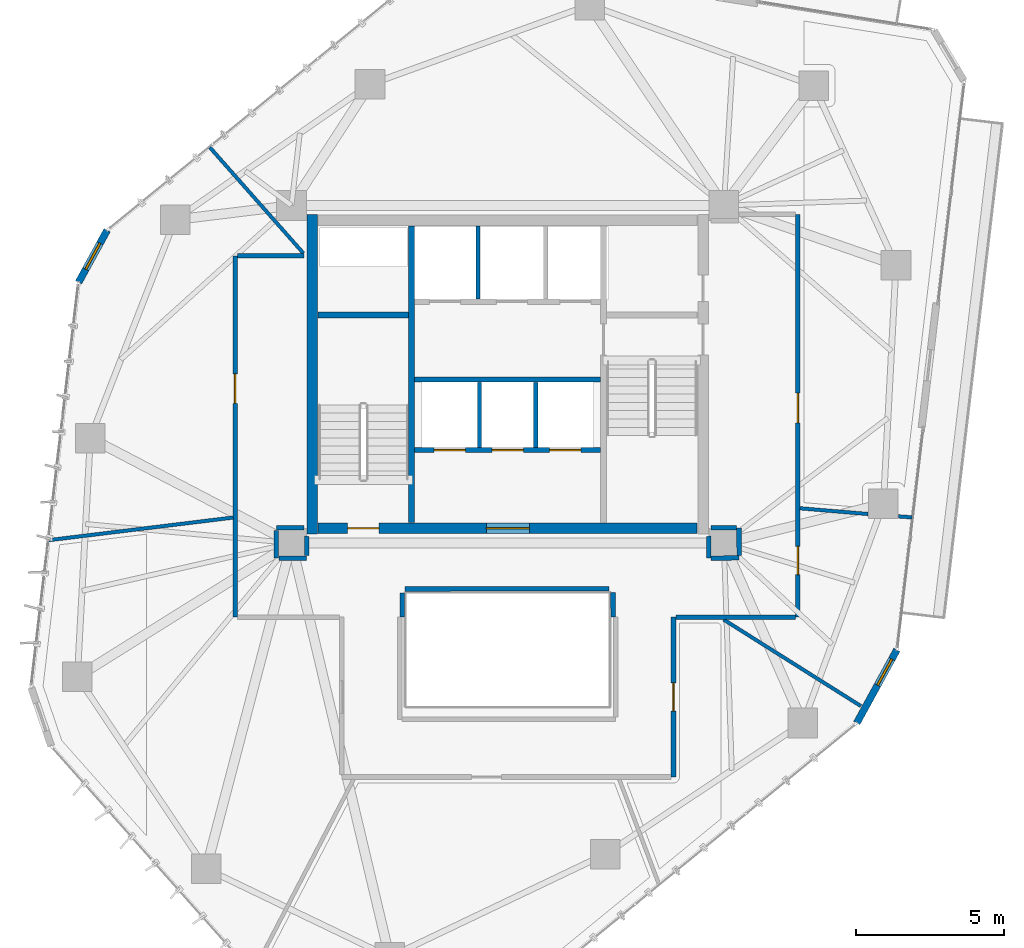
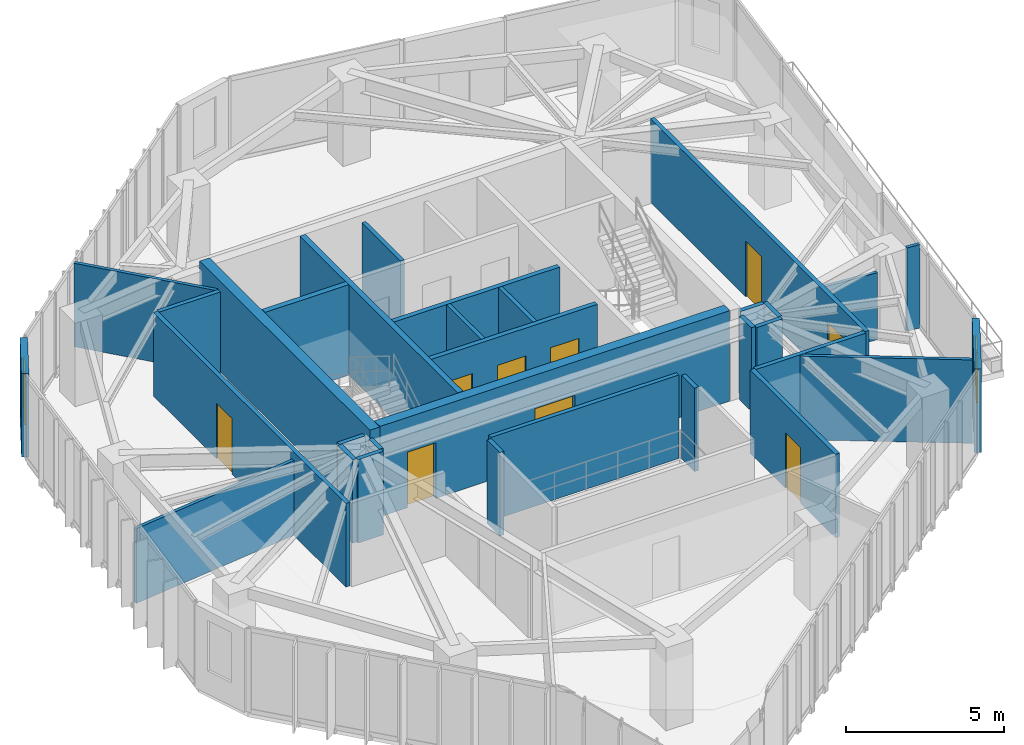
# One storey, part 18 of 22: 32 walls, 9 doors, 2 windows, 11 openings.
"""IFC4 building model written with IfcOpenShell, lengths in metres."""

import ifcopenshell
import ifcopenshell.guid

model = None  # the IFC model being written
_history = None  # IfcOwnerHistory: only IFC2X3 demands one
_inside = {}  # id of a spatial element -> (the spatial element, [elements in it])
_under = {}  # id of a project, library or spatial element -> (it, [spatial elements below it])
_declared = {}  # id of a project -> (the project, [libraries it declares])
_typed = {}  # id of a type object -> (the type object, [elements of that type])
_made_of = {}  # id of a material, layer set ... -> (it, [elements and type objects made of it])


def new_model(schema):
    """Start an empty IFC model of exactly this schema.

    Asked for "IFC4X3", IfcOpenShell would pick the latest addendum, in which some entities
    have other attributes; the version numbers below select the first issue.
    IFC2X3 requires an IfcOwnerHistory on every rooted entity: one is made here for all.
    """
    global model, _history
    if schema == "IFC4X3":
        model = ifcopenshell.file(schema_version=(4, 3, 0, 0))
    else:
        model = ifcopenshell.file(schema=schema)
    _inside.clear()
    _under.clear()
    _declared.clear()
    _typed.clear()
    _made_of.clear()
    _history = None
    if model.schema == "IFC2X3":
        org = make("IfcOrganization", Name="unknown")
        user = make(
            "IfcPersonAndOrganization",
            ThePerson=make("IfcPerson", FamilyName="unknown"),
            TheOrganization=org,
        )
        app = make(
            "IfcApplication",
            ApplicationDeveloper=org,
            Version="unknown",
            ApplicationFullName="unknown",
            ApplicationIdentifier="unknown",
        )
        _history = make(
            "IfcOwnerHistory",
            OwningUser=user,
            OwningApplication=app,
            ChangeAction="ADDED",
            CreationDate=0,
        )
    return model


def make(cls, **values):
    """One entity of the class cls with the attributes given. An attribute that is None is left unset."""
    return model.create_entity(
        cls, **{name: value for name, value in values.items() if value is not None}
    )


def rooted(cls, **values):
    """An entity with a GlobalId (a new one), such as an element, a storey or a relation."""
    return make(cls, GlobalId=ifcopenshell.guid.new(), OwnerHistory=_history, **values)


def si_unit(unit_type, name, prefix=None):
    """IfcSIUnit, for example si_unit("LENGTHUNIT", "METRE", prefix="MILLI")."""
    return make("IfcSIUnit", UnitType=unit_type, Prefix=prefix, Name=name)


def assignment(units):
    """IfcUnitAssignment: the units of a project."""
    return None if units is None else make("IfcUnitAssignment", Units=units)


def point(xyz):
    """IfcCartesianPoint."""
    return None if xyz is None else make("IfcCartesianPoint", Coordinates=xyz)


def direction(xyz):
    """IfcDirection."""
    return None if xyz is None else make("IfcDirection", DirectionRatios=xyz)


def frame(location, z_axis=None, x_axis=None):
    """IfcAxis2Placement3D, a coordinate frame: its origin and axes. An axis left out is left unset."""
    return make(
        "IfcAxis2Placement3D",
        Location=point(location),
        Axis=direction(z_axis),
        RefDirection=direction(x_axis),
    )


def frame_2d(location, x_axis=None):
    """IfcAxis2Placement2D, a coordinate frame in the plane: its origin and x axis."""
    return make(
        "IfcAxis2Placement2D", Location=point(location), RefDirection=direction(x_axis)
    )


def origin():
    """The frame at (0, 0, 0) with its axes left unset."""
    return frame((0.0, 0.0, 0.0))


def place(relative_to, where):
    """IfcLocalPlacement: puts the frame where relative to a parent placement (None: the world)."""
    return make(
        "IfcLocalPlacement", PlacementRelTo=relative_to, RelativePlacement=where
    )


def context(
    kind, dimensions, precision=None, world=None, true_north=None, identifier=None
):
    """IfcGeometricRepresentationContext, for example the 3D "Model" context."""
    return make(
        "IfcGeometricRepresentationContext",
        ContextIdentifier=identifier,
        ContextType=kind,
        CoordinateSpaceDimension=dimensions,
        Precision=precision,
        WorldCoordinateSystem=world,
        TrueNorth=true_north,
    )


def subcontext(parent, identifier, kind, view, scale=None):
    """IfcGeometricRepresentationSubContext, for example "Body" below "Model"."""
    return make(
        "IfcGeometricRepresentationSubContext",
        ContextIdentifier=identifier,
        ContextType=kind,
        ParentContext=parent,
        TargetScale=scale,
        TargetView=view,
    )


def project(units=None, contexts=None):
    """IfcProject with its units and contexts."""
    return rooted(
        "IfcProject",
        Name="project",
        RepresentationContexts=contexts,
        UnitsInContext=assignment(units),
    )


def spatial(cls, under=None, at=None, **own):
    """A site, building, storey or space (cls), placed at a placement, below another one or the project."""
    s = rooted(cls, ObjectPlacement=at, **own)
    if under is not None:
        _under.setdefault(under.id(), (under, []))[1].append(s)
    return s


def profile(cls, at=None, kind="AREA", **sizes):
    """A parametric profile (cls). Its sizes go by their IFC names, for example OverallWidth=200.0."""
    return make(cls, ProfileType=kind, Position=at, **sizes)


def rectangle(**sizes):
    """IfcRectangleProfileDef."""
    return profile("IfcRectangleProfileDef", **sizes)


def extrude(swept, where, along, depth):
    """IfcExtrudedAreaSolid: the profile swept, set in the frame where, extruded along a direction by depth."""
    return make(
        "IfcExtrudedAreaSolid",
        SweptArea=swept,
        Position=where,
        ExtrudedDirection=direction(along),
        Depth=depth,
    )


def shape(context_of_items, identifier, shape_type, items):
    """IfcShapeRepresentation: the items that make up one representation, for example the "Body"."""
    return make(
        "IfcShapeRepresentation",
        ContextOfItems=context_of_items,
        RepresentationIdentifier=identifier,
        RepresentationType=shape_type,
        Items=items,
    )


def source(mapping_origin, context_of_items, identifier, shape_type, items):
    """IfcRepresentationMap: a shape defined once, which mapped items show again and again."""
    return make(
        "IfcRepresentationMap",
        MappingOrigin=mapping_origin,
        MappedRepresentation=shape(context_of_items, identifier, shape_type, items),
    )


def transform(
    local_origin,
    x_axis=None,
    y_axis=None,
    z_axis=None,
    scale=None,
    scale2=None,
    scale3=None,
    uniform=True,
):
    """IfcCartesianTransformationOperator3D, or its non-uniform kind. x_axis, y_axis, z_axis: its Axis1, 2, 3."""
    if uniform:
        return make(
            "IfcCartesianTransformationOperator3D",
            Axis1=direction(x_axis),
            Axis2=direction(y_axis),
            LocalOrigin=point(local_origin),
            Scale=scale,
            Axis3=direction(z_axis),
        )
    return make(
        "IfcCartesianTransformationOperator3DnonUniform",
        Axis1=direction(x_axis),
        Axis2=direction(y_axis),
        LocalOrigin=point(local_origin),
        Scale=scale,
        Axis3=direction(z_axis),
        Scale2=scale2,
        Scale3=scale3,
    )


def mapped(mapping_source, mapping_target):
    """IfcMappedItem: shows the shape of a source again, moved by a transform."""
    return make(
        "IfcMappedItem", MappingSource=mapping_source, MappingTarget=mapping_target
    )


def material(Name=None, Category=None):
    """IfcMaterial."""
    return make("IfcMaterial", Name=Name, Category=Category)


def layer(
    of_material, thickness, ventilated=None, Name=None, Category=None, Priority=None
):
    """IfcMaterialLayer: one layer of a wall or slab, of a material (None: an air gap)."""
    return make(
        "IfcMaterialLayer",
        Material=of_material,
        LayerThickness=thickness,
        IsVentilated=ventilated,
        Name=Name,
        Category=Category,
        Priority=Priority,
    )


def layer_set(layers, Name=None):
    """IfcMaterialLayerSet."""
    return make("IfcMaterialLayerSet", MaterialLayers=layers, LayerSetName=Name)


def made_of(thing, what):
    """Note that an element or type object is made of a material, layer set ...; save() writes the relation."""
    if what is not None:
        _made_of.setdefault(what.id(), (what, []))[1].append(thing)
    return thing


def type_object(cls, material=None, **own):
    """A type object (cls), such as IfcWallType, which elements share."""
    return made_of(rooted(cls, **own), material)


def type_shapes(of_type, sources):
    """Give a type object the sources (RepresentationMaps) that its elements show as mapped items."""
    of_type.RepresentationMaps = sources


def element(
    cls,
    number,
    at=None,
    inside=None,
    cuts=None,
    type_object=None,
    material=None,
    context=None,
    identifier="Body",
    shape_type=None,
    held_by="IfcProductDefinitionShape",
    body=None,
    shapes=None,
    **own,
):
    """One element of the class cls, such as IfcWall. Its Tag is "e" and its number.

    at: its placement. inside: the storey or other place that contains it. cuts: it is an
    opening in that element (IfcRelVoidsElement). A single representation is given by context,
    identifier, shape_type and body (its items); several are given by shapes. held_by: the class
    of the entity that holds the representations. save() writes the other relations.
    """
    e = rooted(cls, Tag="e%d" % number, ObjectPlacement=at, **own)
    if body is not None:
        shapes = [shape(context, identifier, shape_type, body)]
    if shapes is not None:
        e.Representation = make(held_by, Representations=shapes)
    if inside is not None:
        _inside.setdefault(inside.id(), (inside, []))[1].append(e)
    if cuts is not None:
        rooted(
            "IfcRelVoidsElement", RelatingBuildingElement=cuts, RelatedOpeningElement=e
        )
    if type_object is not None:
        _typed.setdefault(type_object.id(), (type_object, []))[1].append(e)
    return made_of(e, material)


def fill(opening, filler):
    """IfcRelFillsElement: the door or window that sits in an opening."""
    return rooted(
        "IfcRelFillsElement",
        RelatingOpeningElement=opening,
        RelatedBuildingElement=filler,
    )


def aggregate(whole, parts):
    """IfcRelAggregates: a whole, such as a stair, and the parts it consists of."""
    return rooted("IfcRelAggregates", RelatingObject=whole, RelatedObjects=parts)


def save(model, path):
    """Write the relations noted so far, then the file.

    IfcRelAggregates (storeys below a building ...), IfcRelContainedInSpatialStructure (elements
    in a storey), IfcRelDefinesByType, IfcRelAssociatesMaterial and IfcRelDeclares: one each for
    every whole, place, type object, material and project.
    """
    for whole, parts in _under.values():
        aggregate(whole, parts)
    for where, things in _inside.values():
        rooted(
            "IfcRelContainedInSpatialStructure",
            RelatedElements=things,
            RelatingStructure=where,
        )
    for kind, things in _typed.values():
        rooted("IfcRelDefinesByType", RelatedObjects=things, RelatingType=kind)
    for what, things in _made_of.values():
        rooted("IfcRelAssociatesMaterial", RelatedObjects=things, RelatingMaterial=what)
    for by, libraries in _declared.values():
        rooted("IfcRelDeclares", RelatingContext=by, RelatedDefinitions=libraries)
    model.write(path)


model = new_model("IFC4")

# Units and contexts
model_context = context("Model", 3, precision=1e-05, world=origin(), true_north=direction((0.0, 1.0)))
body_context = subcontext(model_context, "Body", "Model", "MODEL_VIEW")
ifc_project = project(units=[si_unit("LENGTHUNIT", "METRE"), si_unit("AREAUNIT", "SQUARE_METRE"), si_unit("VOLUMEUNIT", "CUBIC_METRE"), si_unit("PLANEANGLEUNIT", "RADIAN"), si_unit("MASSUNIT", "GRAM", prefix="KILO")], contexts=[model_context])

# Site, building, storey
site_placement = place(None, origin())
site = spatial("IfcSite", under=ifc_project, at=site_placement, CompositionType="ELEMENT")
building_placement = place(site_placement, origin())
building = spatial("IfcBuilding", under=site, at=building_placement, Name="Talar Marvaseh", CompositionType="ELEMENT")
storey_placement = place(building_placement, frame((0.0, 0.0, 208.199951171875)))
storey = spatial("IfcBuildingStorey", under=building, at=storey_placement, Name="L54", CompositionType="ELEMENT", Elevation=208.199951171875)

# Wall, opening, window
ifc_material_1 = material(Name="Precast concrete C45/55", Category="concrete")
ifc_layer_1 = layer(ifc_material_1, 0.239990234375)
ifc_layer_set_1 = layer_set([ifc_layer_1], Name="Precast concrete C45/55")
wall_type_1 = type_object("IfcWallType", Name="Chamfered Hexagonal Corner Pier Wall Z3 240", PredefinedType="SOLIDWALL", material=ifc_layer_set_1)
wall_1_placement = place(storey_placement, frame((11.512451171875, 34.305908203125, 0.0), z_axis=(0.0, 0.0, 1.0), x_axis=(0.480968632028, 0.876737802884, 0.0)))
wall_1 = element("IfcWall", 1, at=wall_1_placement, inside=storey, type_object=wall_type_1, Name="L54 Chamfered Corner Limestone Pier 3", PredefinedType="SOLIDWALL", context=body_context, shape_type="SweptSolid", body=[
    extrude(rectangle(XDim=2.0029296875, YDim=0.239990234375, at=frame_2d((1.00146484375, 0.0))), origin(), (0.0, 0.0, 1.0), 3.22998046875),
])
opening_1_placement = place(wall_1_placement, frame((0.501953125, 0.0, 0.89990234375)))
opening_1 = element("IfcOpeningElement", 2, at=opening_1_placement, cuts=wall_1, Name="Opening WN-CHM10", PredefinedType="OPENING", context=body_context, shape_type="SweptSolid", body=[
    extrude(rectangle(XDim=1.0, YDim=1.949951171875, at=frame_2d((0.5, 0.97509765625))), frame((0.0, 0.1298828125, 0.0), z_axis=(0.0, -1.0, 0.0), x_axis=(1.0, 0.0, 0.0)), (0.0, 0.0, 1.0), 0.260009765625),
])
ifc_material_2 = material(Name="Laminated Low-E Solar Glass", Category="glass")
window_type = type_object("IfcWindowType", Name="Zone 3 Chamfered Corner Slot Window 1000x1950", PartitioningType="SINGLE_PANEL", PredefinedType="WINDOW", material=ifc_material_2)
shared_shape_1 = source(origin(), body_context, "Body", "SweptSolid", [
    extrude(rectangle(XDim=1.0, YDim=1.949951171875, at=frame_2d((0.5, 0.97509765625))), frame((0.0, 0.030029296875, 0.0), z_axis=(0.0, -1.0, 0.0), x_axis=(1.0, 0.0, 0.0)), (0.0, 0.0, 1.0), 0.06005859375),
])
type_shapes(window_type, [shared_shape_1])
window_1_placement = place(opening_1_placement, origin())
window_1 = element("IfcWindow", 3, at=window_1_placement, inside=storey, type_object=window_type, Name="L54 Chamfered Corner Slot Window", OverallHeight=1.949951171875, OverallWidth=1.0, PartitioningType="SINGLE_PANEL", PredefinedType="WINDOW", context=body_context, shape_type="MappedRepresentation", body=[
    mapped(shared_shape_1, transform((0.0, 0.0, 0.0), x_axis=(1.0, 0.0, 0.0), y_axis=(0.0, 1.0, 0.0), z_axis=(0.0, 0.0, 1.0), scale=1.0)),
])
fill(opening_1, window_1)

wall_2_placement = place(storey_placement, frame((39.144287109375, 21.894287109375, 0.0), z_axis=(0.0, 0.0, 1.0), x_axis=(-0.48095304439, -0.876746353909, 0.0)))
wall_2 = element("IfcWall", 4, at=wall_2_placement, inside=storey, type_object=wall_type_1, Name="L54 Chamfered Corner Limestone Pier 6", PredefinedType="SOLIDWALL", context=body_context, shape_type="SweptSolid", body=[
    extrude(rectangle(XDim=2.815185546875, YDim=0.239990234375, at=frame_2d((1.40771484375, 0.0))), origin(), (0.0, 0.0, 1.0), 3.22998046875),
])
opening_2_placement = place(wall_2_placement, frame((0.35791015625, 0.0, 0.89990234375)))
opening_2 = element("IfcOpeningElement", 5, at=opening_2_placement, cuts=wall_2, Name="Opening WN-CHM10", PredefinedType="OPENING", context=body_context, shape_type="SweptSolid", body=[
    extrude(rectangle(XDim=1.0, YDim=1.949951171875, at=frame_2d((0.5, 0.97509765625))), frame((0.0, 0.1298828125, 0.0), z_axis=(0.0, -1.0, 0.0), x_axis=(1.0, 0.0, 0.0)), (0.0, 0.0, 1.0), 0.260009765625),
])
window_2_placement = place(opening_2_placement, origin())
window_2 = element("IfcWindow", 6, at=window_2_placement, inside=storey, type_object=window_type, Name="L54 Chamfered Corner Slot Window", OverallHeight=1.949951171875, OverallWidth=1.0, PartitioningType="SINGLE_PANEL", PredefinedType="WINDOW", context=body_context, shape_type="MappedRepresentation", body=[
    mapped(shared_shape_1, transform((0.0, 0.0, 0.0), x_axis=(1.0, 0.0, 0.0), y_axis=(0.0, 1.0, 0.0), z_axis=(0.0, 0.0, 1.0), scale=1.0)),
])
fill(opening_2, window_2)

# Wall, opening, door
ifc_material_3 = material(Name="Gypsum Board Partition Assembly")
ifc_layer_2 = layer(ifc_material_3, 0.155029296875)
ifc_layer_set_2 = layer_set([ifc_layer_2], Name="Gypsum Board Partition Assembly")
wall_type_2 = type_object("IfcWallType", Name="Corridor Fire-Rated Acoustic Partition 155", PredefinedType="PARTITIONING", material=ifc_layer_set_2)
wall_3_placement = place(storey_placement, frame((16.800048828125, 23.0, 0.0), z_axis=(0.0, 0.0, 1.0), x_axis=(0.0, 1.0, 0.0)))
wall_3 = element("IfcWall", 7, at=wall_3_placement, inside=storey, type_object=wall_type_2, Name="L54 Interior Partition Wall", PredefinedType="PARTITIONING", context=body_context, shape_type="SweptSolid", body=[
    extrude(rectangle(XDim=12.199951171875, YDim=0.155029296875, at=frame_2d((6.10009765625, 0.0))), origin(), (0.0, 0.0, 1.0), 3.22998046875),
])
opening_3_placement = place(wall_3_placement, frame((7.214599609375, 0.0, 0.0)))
opening_3 = element("IfcOpeningElement", 8, at=opening_3_placement, cuts=wall_3, Name="Opening DR-RM100", PredefinedType="OPENING", context=body_context, shape_type="SweptSolid", body=[
    extrude(rectangle(XDim=1.0, YDim=2.14990234375, at=frame_2d((0.5, 1.074951171875))), frame((0.0, 0.08740234375, 0.0), z_axis=(0.0, -1.0, 0.0), x_axis=(1.0, 0.0, 0.0)), (0.0, 0.0, 1.0), 0.175048828125),
])
ifc_material_4 = material(Name="Acoustic Engineered Oak Timber", Category="wood")
door_type_1 = type_object("IfcDoorType", Name="Corridor Fire-Rated Gallery Door 1000x2150", OperationType="NOTDEFINED", PredefinedType="DOOR", material=ifc_material_4)
shared_shape_2 = source(origin(), body_context, "Body", "SweptSolid", [
    extrude(rectangle(XDim=1.0, YDim=2.14990234375, at=frame_2d((0.5, 1.074951171875))), frame((0.0, 0.02490234375, 0.0), z_axis=(0.0, -1.0, 0.0), x_axis=(1.0, 0.0, 0.0)), (0.0, 0.0, 1.0), 0.050048828125),
])
type_shapes(door_type_1, [shared_shape_2])
door_1_placement = place(opening_3_placement, origin())
door_1 = element("IfcDoor", 9, at=door_1_placement, inside=storey, type_object=door_type_1, Name="L54 Artisan Craft Showroom Door", OperationType="SINGLE_SWING_RIGHT", OverallHeight=2.14990234375, OverallWidth=1.0, PredefinedType="DOOR", context=body_context, shape_type="MappedRepresentation", body=[
    mapped(shared_shape_2, transform((0.0, 0.0, 0.0), x_axis=(1.0, 0.0, 0.0), y_axis=(0.0, 1.0, 0.0), z_axis=(0.0, 0.0, 1.0), scale=1.0)),
])
fill(opening_3, door_1)

# Wall, openings, doors
wall_4_placement = place(storey_placement, frame((35.800048828125, 36.60009765625, 0.0), z_axis=(0.0, 0.0, 1.0), x_axis=(0.0, -1.0, 0.0)))
wall_4 = element("IfcWall", 10, at=wall_4_placement, inside=storey, type_object=wall_type_2, Name="L54 Interior Partition Wall", PredefinedType="PARTITIONING", context=body_context, shape_type="SweptSolid", body=[
    extrude(rectangle(XDim=13.60009765625, YDim=0.155029296875, at=frame_2d((6.800048828125, 0.0))), origin(), (0.0, 0.0, 1.0), 3.22998046875),
])
opening_4_placement = place(wall_4_placement, frame((11.2138671875, 0.0, 0.0)))
opening_4 = element("IfcOpeningElement", 11, at=opening_4_placement, cuts=wall_4, Name="Opening DR-WC095", PredefinedType="OPENING", context=body_context, shape_type="SweptSolid", body=[
    extrude(rectangle(XDim=0.949951171875, YDim=2.14990234375, at=frame_2d((0.47509765625, 1.074951171875))), frame((0.0, 0.08740234375, 0.0), z_axis=(0.0, -1.0, 0.0), x_axis=(1.0, 0.0, 0.0)), (0.0, 0.0, 1.0), 0.175048828125),
])
opening_5_placement = place(wall_4_placement, frame((6.037841796875, 0.0, 0.0)))
opening_5 = element("IfcOpeningElement", 12, at=opening_5_placement, cuts=wall_4, Name="Opening DR-RM100", PredefinedType="OPENING", context=body_context, shape_type="SweptSolid", body=[
    extrude(rectangle(XDim=1.0, YDim=2.14990234375, at=frame_2d((0.5, 1.074951171875))), frame((0.0, 0.08740234375, 0.0), z_axis=(0.0, -1.0, 0.0), x_axis=(1.0, 0.0, 0.0)), (0.0, 0.0, 1.0), 0.175048828125),
])
door_type_2 = type_object("IfcDoorType", Name="Washroom and Service Room Door 950x2150", OperationType="NOTDEFINED", PredefinedType="DOOR", material=ifc_material_4)
shared_shape_3 = source(origin(), body_context, "Body", "SweptSolid", [
    extrude(rectangle(XDim=0.949951171875, YDim=2.14990234375, at=frame_2d((0.47509765625, 1.074951171875))), frame((0.0, 0.02490234375, 0.0), z_axis=(0.0, -1.0, 0.0), x_axis=(1.0, 0.0, 0.0)), (0.0, 0.0, 1.0), 0.050048828125),
])
type_shapes(door_type_2, [shared_shape_3])
door_2_placement = place(opening_4_placement, origin())
door_2 = element("IfcDoor", 13, at=door_2_placement, inside=storey, type_object=door_type_2, Name="L54 WC Public Washrooms Door", OperationType="SINGLE_SWING_RIGHT", OverallHeight=2.14990234375, OverallWidth=0.949951171875, PredefinedType="DOOR", context=body_context, shape_type="MappedRepresentation", body=[
    mapped(shared_shape_3, transform((0.0, 0.0, 0.0), x_axis=(1.0, 0.0, 0.0), y_axis=(0.0, 1.0, 0.0), z_axis=(0.0, 0.0, 1.0), scale=1.0)),
])
fill(opening_4, door_2)
door_3_placement = place(opening_5_placement, origin())
door_3 = element("IfcDoor", 14, at=door_3_placement, inside=storey, type_object=door_type_1, Name="L54 Visitor Orientation Foyer Door", OperationType="SINGLE_SWING_LEFT", OverallHeight=2.14990234375, OverallWidth=1.0, PredefinedType="DOOR", context=body_context, shape_type="MappedRepresentation", body=[
    mapped(shared_shape_2, transform((0.0, 0.0, 0.0), x_axis=(1.0, 0.0, 0.0), y_axis=(0.0, 1.0, 0.0), z_axis=(0.0, 0.0, 1.0), scale=1.0)),
])
fill(opening_5, door_3)

# Wall, opening, door
wall_5_placement = place(storey_placement, frame((31.60009765625, 23.0, 0.0), z_axis=(0.0, 0.0, 1.0), x_axis=(0.0, -1.0, 0.0)))
wall_5 = element("IfcWall", 15, at=wall_5_placement, inside=storey, type_object=wall_type_2, Name="L54 Interior Partition Wall", PredefinedType="PARTITIONING", context=body_context, shape_type="SweptSolid", body=[
    extrude(rectangle(XDim=5.39990234375, YDim=0.155029296875, at=frame_2d((2.699951171875, 0.0))), origin(), (0.0, 0.0, 1.0), 3.22998046875),
])
opening_6_placement = place(wall_5_placement, frame((2.22509765625, 0.0, 0.0)))
opening_6 = element("IfcOpeningElement", 16, at=opening_6_placement, cuts=wall_5, Name="Opening DR-WC095", PredefinedType="OPENING", context=body_context, shape_type="SweptSolid", body=[
    extrude(rectangle(XDim=0.949951171875, YDim=2.14990234375, at=frame_2d((0.47509765625, 1.074951171875))), frame((0.0, 0.08740234375, 0.0), z_axis=(0.0, -1.0, 0.0), x_axis=(1.0, 0.0, 0.0)), (0.0, 0.0, 1.0), 0.175048828125),
])
door_4_placement = place(opening_6_placement, origin())
door_4 = element("IfcDoor", 17, at=door_4_placement, inside=storey, type_object=door_type_2, Name="L54 Accessible WC Block Door", OperationType="SINGLE_SWING_LEFT", OverallHeight=2.14990234375, OverallWidth=0.949951171875, PredefinedType="DOOR", context=body_context, shape_type="MappedRepresentation", body=[
    mapped(shared_shape_3, transform((0.0, 0.0, 0.0), x_axis=(1.0, 0.0, 0.0), y_axis=(0.0, 1.0, 0.0), z_axis=(0.0, 0.0, 1.0), scale=1.0)),
])
fill(opening_6, door_4)

# Walls
wall_6_placement = place(storey_placement, frame((16.883544921875, 35.199951171875, 0.0), z_axis=(0.0, 0.0, 1.0), x_axis=(1.0, 0.0, 0.0)))
element("IfcWall", 18, at=wall_6_placement, inside=storey, type_object=wall_type_2, Name="L54 Interior Partition Wall", PredefinedType="PARTITIONING", context=body_context, shape_type="SweptSolid", body=[
    extrude(rectangle(XDim=2.246337890625, YDim=0.155029296875, at=frame_2d((1.123046875, 0.0))), origin(), (0.0, 0.0, 1.0), 3.22998046875),
])
wall_7_placement = place(storey_placement, frame((19.1298828125, 26.0146484375, 0.0), z_axis=(0.0, 0.0, 1.0), x_axis=(-0.99999026157, -0.004413248818, 0.0)))
element("IfcWall", 19, at=wall_7_placement, inside=storey, type_object=wall_type_2, Name="L54 Interior Partition Wall", PredefinedType="PARTITIONING", context=body_context, shape_type="SweptSolid", body=[
    extrude(rectangle(XDim=0.9404296875, YDim=0.155029296875, at=frame_2d((0.47021484375, 0.0))), origin(), (0.0, 0.0, 1.0), 3.22998046875),
])
wall_8_placement = place(storey_placement, frame((18.189697265625, 25.927001953125, 0.0), z_axis=(0.0, 0.0, 1.0), x_axis=(0.002078997586, -0.999997838882, 0.0)))
element("IfcWall", 20, at=wall_8_placement, inside=storey, type_object=wall_type_2, Name="L54 Interior Partition Wall", PredefinedType="PARTITIONING", context=body_context, shape_type="SweptSolid", body=[
    extrude(rectangle(XDim=0.939453125, YDim=0.155029296875, at=frame_2d((0.4697265625, 0.0))), origin(), (0.0, 0.0, 1.0), 3.22998046875),
])
wall_9_placement = place(storey_placement, frame((18.275146484375, 24.987548828125, 0.0), z_axis=(0.0, 0.0, 1.0), x_axis=(0.999999692748, 0.0007839036, 0.0)))
element("IfcWall", 21, at=wall_9_placement, inside=storey, type_object=wall_type_2, Name="L54 Interior Partition Wall", PredefinedType="PARTITIONING", context=body_context, shape_type="SweptSolid", body=[
    extrude(rectangle(XDim=0.934326171875, YDim=0.155029296875, at=frame_2d((0.46728515625, 0.0))), origin(), (0.0, 0.0, 1.0), 3.22998046875),
])
wall_10_placement = place(storey_placement, frame((19.210205078125, 25.072021484375, 0.0), z_axis=(0.0, 0.0, 1.0), x_axis=(0.007420945932, 0.999972464402, 0.0)))
element("IfcWall", 22, at=wall_10_placement, inside=storey, type_object=wall_type_2, Name="L54 Interior Partition Wall", PredefinedType="PARTITIONING", context=body_context, shape_type="SweptSolid", body=[
    extrude(rectangle(XDim=0.657958984375, YDim=0.155029296875, at=frame_2d((0.3291015625, 0.0))), origin(), (0.0, 0.0, 1.0), 3.22998046875),
])
wall_11_placement = place(storey_placement, frame((32.784912109375, 25.72998046875, 0.0), z_axis=(0.0, 0.0, 1.0), x_axis=(0.007570553288, -0.999971342951, 0.0)))
element("IfcWall", 23, at=wall_11_placement, inside=storey, type_object=wall_type_2, Name="L54 Interior Partition Wall", PredefinedType="PARTITIONING", context=body_context, shape_type="SweptSolid", body=[
    extrude(rectangle(XDim=0.74169921875, YDim=0.155029296875, at=frame_2d((0.370849609375, 0.0))), origin(), (0.0, 0.0, 1.0), 3.22998046875),
])
wall_12_placement = place(storey_placement, frame((32.8740234375, 24.9892578125, 0.0), z_axis=(0.0, 0.0, 1.0), x_axis=(0.999934835738, 0.01141596595, 0.0)))
element("IfcWall", 24, at=wall_12_placement, inside=storey, type_object=wall_type_2, Name="L54 Interior Partition Wall", PredefinedType="PARTITIONING", context=body_context, shape_type="SweptSolid", body=[
    extrude(rectangle(XDim=0.94091796875, YDim=0.155029296875, at=frame_2d((0.470458984375, 0.0))), origin(), (0.0, 0.0, 1.0), 3.22998046875),
])
wall_13_placement = place(storey_placement, frame((33.814697265625, 25.08349609375, 0.0), z_axis=(0.0, 0.0, 1.0), x_axis=(-0.004477173984, 0.999989977406, 0.0)))
element("IfcWall", 25, at=wall_13_placement, inside=storey, type_object=wall_type_2, Name="L54 Interior Partition Wall", PredefinedType="PARTITIONING", context=body_context, shape_type="SweptSolid", body=[
    extrude(rectangle(XDim=0.927001953125, YDim=0.155029296875, at=frame_2d((0.46337890625, 0.0))), origin(), (0.0, 0.0, 1.0), 3.22998046875),
])
wall_14_placement = place(storey_placement, frame((33.72705078125, 26.010986328125, 0.0), z_axis=(0.0, 0.0, 1.0), x_axis=(-0.999990868706, 0.004273465251, 0.0)))
element("IfcWall", 26, at=wall_14_placement, inside=storey, type_object=wall_type_2, Name="L54 Interior Partition Wall", PredefinedType="PARTITIONING", context=body_context, shape_type="SweptSolid", body=[
    extrude(rectangle(XDim=0.85693359375, YDim=0.155029296875, at=frame_2d((0.428466796875, 0.0))), origin(), (0.0, 0.0, 1.0), 3.22998046875),
])
wall_15_placement = place(storey_placement, frame((35.716552734375, 23.0, 0.0), z_axis=(0.0, 0.0, 1.0), x_axis=(-1.0, 0.0, 0.0)))
element("IfcWall", 27, at=wall_15_placement, inside=storey, type_object=wall_type_2, Name="L54 Interior Partition Wall", PredefinedType="PARTITIONING", context=body_context, shape_type="SweptSolid", body=[
    extrude(rectangle(XDim=4.032958984375, YDim=0.155029296875, at=frame_2d((2.0166015625, 0.0))), origin(), (0.0, 0.0, 1.0), 3.22998046875),
])
wall_16_placement = place(storey_placement, frame((29.415771484375, 23.959228515625, 0.0), z_axis=(0.0, 0.0, 1.0), x_axis=(-0.999998607957, -0.001668557745, 0.0)))
element("IfcWall", 28, at=wall_16_placement, inside=storey, type_object=wall_type_2, Name="L54 Interior Partition Wall", PredefinedType="PARTITIONING", context=body_context, shape_type="SweptSolid", body=[
    extrude(rectangle(XDim=6.876953125, YDim=0.155029296875, at=frame_2d((3.4384765625, 0.0))), origin(), (0.0, 0.0, 1.0), 3.22998046875),
])
wall_17_placement = place(storey_placement, frame((22.44091796875, 23.815673828125, 0.0), z_axis=(0.0, 0.0, 1.0), x_axis=(-0.001197245475, -0.999999283301, 0.0)))
element("IfcWall", 29, at=wall_17_placement, inside=storey, type_object=wall_type_2, Name="L54 Interior Partition Wall", PredefinedType="PARTITIONING", context=body_context, shape_type="SweptSolid", body=[
    extrude(rectangle(XDim=0.815673828125, YDim=0.155029296875, at=frame_2d((0.40771484375, 0.0))), origin(), (0.0, 0.0, 1.0), 3.22998046875),
])
wall_18_placement = place(storey_placement, frame((29.56005859375, 23.0, 0.0), z_axis=(0.0, 0.0, 1.0), x_axis=(-0.003817887006, 0.999992711843, 0.0)))
element("IfcWall", 30, at=wall_18_placement, inside=storey, type_object=wall_type_2, Name="L54 Interior Partition Wall", PredefinedType="PARTITIONING", context=body_context, shape_type="SweptSolid", body=[
    extrude(rectangle(XDim=0.831298828125, YDim=0.155029296875, at=frame_2d((0.41552734375, 0.0))), origin(), (0.0, 0.0, 1.0), 3.22998046875),
])
ifc_layer_3 = layer(ifc_material_3, 0.1201171875)
ifc_layer_set_3 = layer_set([ifc_layer_3], Name="Gypsum Board Partition Assembly")
wall_type_3 = type_object("IfcWallType", Name="Demountable Studio Room Partition 120", PredefinedType="PARTITIONING", material=ifc_layer_set_3)
wall_19_placement = place(storey_placement, frame((10.51220703125, 25.59814453125, 0.0), z_axis=(0.0, 0.0, 1.0), x_axis=(0.992550395791, 0.121834772603, 0.0)))
element("IfcWall", 31, at=wall_19_placement, inside=storey, type_object=wall_type_3, Name="L54 Interior Partition Wall", PredefinedType="PARTITIONING", context=body_context, shape_type="SweptSolid", body=[
    extrude(rectangle(XDim=6.27001953125, YDim=0.1201171875, at=frame_2d((3.135009765625, 0.0))), origin(), (0.0, 0.0, 1.0), 2.89208984375),
])
wall_20_placement = place(storey_placement, frame((33.29248046875, 22.91650390625, 0.0), z_axis=(0.0, 0.0, 1.0), x_axis=(0.846084683166, -0.533048505215, 0.0)))
element("IfcWall", 32, at=wall_20_placement, inside=storey, type_object=wall_type_3, Name="L54 Interior Partition Wall", PredefinedType="PARTITIONING", context=body_context, shape_type="SweptSolid", body=[
    extrude(rectangle(XDim=5.477294921875, YDim=0.1201171875, at=frame_2d((2.73876953125, 0.0))), origin(), (0.0, 0.0, 1.0), 3.22998046875),
])
wall_21_placement = place(storey_placement, frame((35.86474609375, 26.674560546875, 0.0), z_axis=(0.0, 0.0, 1.0), x_axis=(0.996456394082, -0.084110966541, 0.0)))
element("IfcWall", 33, at=wall_21_placement, inside=storey, type_object=wall_type_3, Name="L54 Interior Partition Wall", PredefinedType="PARTITIONING", context=body_context, shape_type="SweptSolid", body=[
    extrude(rectangle(XDim=2.3134765625, YDim=0.1201171875, at=frame_2d((1.15673828125, 0.0))), origin(), (0.0, 0.0, 1.0), 2.589111328125),
])
wall_22_placement = place(storey_placement, frame((39.199951171875, 26.39990234375, 0.0), z_axis=(0.0, 0.0, 1.0), x_axis=(0.997488572546, -0.07082759095, 0.0)))
element("IfcWall", 34, at=wall_22_placement, inside=storey, type_object=wall_type_3, Name="L54 Interior Partition Wall", PredefinedType="PARTITIONING", context=body_context, shape_type="SweptSolid", body=[
    extrude(rectangle(XDim=0.455078125, YDim=0.1201171875, at=frame_2d((0.2275390625, 0.0))), origin(), (0.0, 0.0, 1.0), 3.22998046875),
])
wall_23_placement = place(storey_placement, frame((19.106201171875, 35.283447265625, 0.0), z_axis=(0.0, 0.0, 1.0), x_axis=(-0.662235178558, 0.749296048489, 0.0)))
element("IfcWall", 35, at=wall_23_placement, inside=storey, type_object=wall_type_3, Name="L54 Interior Partition Wall", PredefinedType="PARTITIONING", context=body_context, shape_type="SweptSolid", body=[
    extrude(rectangle(XDim=4.775634765625, YDim=0.1201171875, at=frame_2d((2.3876953125, 0.0))), origin(), (0.0, 0.0, 1.0), 3.22998046875),
])
ifc_layer_4 = layer(ifc_material_1, 0.14501953125)
ifc_layer_set_4 = layer_set([ifc_layer_4], Name="Precast concrete C45/55")
wall_type_4 = type_object("IfcWallType", Name="Fire-Rated Lift Divider Wall 145", PredefinedType="SOLIDWALL", material=ifc_layer_set_4)
wall_24_placement = place(storey_placement, frame((25.0, 33.743408203125, 0.0), z_axis=(0.0, 0.0, 1.0), x_axis=(0.0, 1.0, 0.0)))
element("IfcWall", 36, at=wall_24_placement, inside=storey, type_object=wall_type_4, Name="L54 FFL-1/FFL-2 Divider", PredefinedType="SOLIDWALL", context=body_context, shape_type="SweptSolid", body=[
    extrude(rectangle(XDim=2.45654296875, YDim=0.14501953125, at=frame_2d((1.228271484375, 0.0))), origin(), (0.0, 0.0, 1.0), 3.22998046875),
])
for number, where, z_axis, x_axis, name in (
    (37, (25.050048828125, 28.719970703125, 0.0), (0.0, 0.0, 1.0), (0.0, 1.0, 0.0), "L54 PL-H1/PL-H2 Divider"),
    (38, (26.949951171875, 28.719970703125, 0.0), (0.0, 0.0, 1.0), (0.0, 1.0, 0.0), "L54 PL-H2/PL-H3 Divider"),
):
    element("IfcWall", number, at=place(storey_placement, frame(where, z_axis=z_axis, x_axis=x_axis)), inside=storey, type_object=wall_type_4, Name=name, PredefinedType="SOLIDWALL", context=body_context, shape_type="SweptSolid", body=[
        extrude(rectangle(XDim=2.20654296875, YDim=0.14501953125, at=frame_2d((1.103271484375, 0.0))), origin(), (0.0, 0.0, 1.0), 3.22998046875),
    ])
ifc_layer_5 = layer(ifc_material_1, 0.175048828125)
ifc_layer_set_5 = layer_set([ifc_layer_5], Name="Precast concrete C45/55")
wall_type_5 = type_object("IfcWallType", Name="Fire-Rated Lift Hoistway Enclosure Wall 175", PredefinedType="SOLIDWALL", material=ifc_layer_set_5)
wall_25_placement = place(storey_placement, frame((22.860107421875, 31.02001953125, 0.0), z_axis=(0.0, 0.0, 1.0), x_axis=(1.0, 0.0, 0.0)))
element("IfcWall", 39, at=wall_25_placement, inside=storey, type_object=wall_type_5, Name="L54 Firefighting Lobby South Smoke Wall", PredefinedType="SOLIDWALL", context=body_context, shape_type="SweptSolid", body=[
    extrude(rectangle(XDim=6.27978515625, YDim=0.175048828125, at=frame_2d((3.139892578125, 0.0))), origin(), (0.0, 0.0, 1.0), 3.22998046875),
])

# Wall, openings, doors
wall_26_placement = place(storey_placement, frame((22.860107421875, 28.639892578125, 0.0), z_axis=(0.0, 0.0, 1.0), x_axis=(1.0, 0.0, 0.0)))
wall_26 = element("IfcWall", 40, at=wall_26_placement, inside=storey, type_object=wall_type_5, Name="L54 High-Rise Lift Bank Front Wall", PredefinedType="SOLIDWALL", context=body_context, shape_type="SweptSolid", body=[
    extrude(rectangle(XDim=6.27978515625, YDim=0.175048828125, at=frame_2d((3.139892578125, 0.0))), origin(), (0.0, 0.0, 1.0), 3.22998046875),
])
opening_7_placement = place(wall_26_placement, frame((0.659912109375, 0.0, 0.0)))
opening_7 = element("IfcOpeningElement", 41, at=opening_7_placement, cuts=wall_26, Name="Opening LD-PLH1", PredefinedType="OPENING", context=body_context, shape_type="SweptSolid", body=[
    extrude(rectangle(XDim=1.050048828125, YDim=2.14990234375, at=frame_2d((0.52490234375, 1.074951171875))), frame((0.0, 0.09765625, 0.0), z_axis=(0.0, -1.0, 0.0), x_axis=(1.0, 0.0, 0.0)), (0.0, 0.0, 1.0), 0.195068359375),
])
opening_8_placement = place(wall_26_placement, frame((2.6201171875, 0.0, 0.0)))
opening_8 = element("IfcOpeningElement", 42, at=opening_8_placement, cuts=wall_26, Name="Opening LD-PLH2", PredefinedType="OPENING", context=body_context, shape_type="SweptSolid", body=[
    extrude(rectangle(XDim=1.050048828125, YDim=2.14990234375, at=frame_2d((0.52490234375, 1.074951171875))), frame((0.0, 0.09765625, 0.0), z_axis=(0.0, -1.0, 0.0), x_axis=(1.0, 0.0, 0.0)), (0.0, 0.0, 1.0), 0.195068359375),
])
opening_9_placement = place(wall_26_placement, frame((4.56005859375, 0.0, 0.0)))
opening_9 = element("IfcOpeningElement", 43, at=opening_9_placement, cuts=wall_26, Name="Opening LD-PLH3", PredefinedType="OPENING", context=body_context, shape_type="SweptSolid", body=[
    extrude(rectangle(XDim=1.050048828125, YDim=2.14990234375, at=frame_2d((0.52490234375, 1.074951171875))), frame((0.0, 0.09765625, 0.0), z_axis=(0.0, -1.0, 0.0), x_axis=(1.0, 0.0, 0.0)), (0.0, 0.0, 1.0), 0.195068359375),
])
ifc_material_5 = material(Name="Stainless Steel Grade 316", Category="steel")
door_type_3 = type_object("IfcDoorType", Name="Automatic Sliding Lift Landing Door 1050x2150", OperationType="NOTDEFINED", PredefinedType="DOOR", material=ifc_material_5)
shared_shape_4 = source(origin(), body_context, "Body", "SweptSolid", [
    extrude(rectangle(XDim=1.050048828125, YDim=2.14990234375, at=frame_2d((0.52490234375, 1.074951171875))), frame((0.0, 0.02490234375, 0.0), z_axis=(0.0, -1.0, 0.0), x_axis=(1.0, 0.0, 0.0)), (0.0, 0.0, 1.0), 0.050048828125),
])
type_shapes(door_type_3, [shared_shape_4])
door_5_placement = place(opening_7_placement, origin())
door_5 = element("IfcDoor", 44, at=door_5_placement, inside=storey, type_object=door_type_3, Name="L54 Lift PL-H1 Sliding Landing Door", OperationType="SLIDING_TO_LEFT", OverallHeight=2.14990234375, OverallWidth=1.050048828125, PredefinedType="DOOR", context=body_context, shape_type="MappedRepresentation", body=[
    mapped(shared_shape_4, transform((0.0, 0.0, 0.0), x_axis=(1.0, 0.0, 0.0), y_axis=(0.0, 1.0, 0.0), z_axis=(0.0, 0.0, 1.0), scale=1.0)),
])
fill(opening_7, door_5)
door_6_placement = place(opening_8_placement, origin())
door_6 = element("IfcDoor", 45, at=door_6_placement, inside=storey, type_object=door_type_3, Name="L54 Lift PL-H2 Sliding Landing Door", OperationType="SLIDING_TO_LEFT", OverallHeight=2.14990234375, OverallWidth=1.050048828125, PredefinedType="DOOR", context=body_context, shape_type="MappedRepresentation", body=[
    mapped(shared_shape_4, transform((0.0, 0.0, 0.0), x_axis=(1.0, 0.0, 0.0), y_axis=(0.0, 1.0, 0.0), z_axis=(0.0, 0.0, 1.0), scale=1.0)),
])
fill(opening_8, door_6)
door_7_placement = place(opening_9_placement, origin())
door_7 = element("IfcDoor", 46, at=door_7_placement, inside=storey, type_object=door_type_3, Name="L54 Lift PL-H3 Sliding Landing Door", OperationType="SLIDING_TO_LEFT", OverallHeight=2.14990234375, OverallWidth=1.050048828125, PredefinedType="DOOR", context=body_context, shape_type="MappedRepresentation", body=[
    mapped(shared_shape_4, transform((0.0, 0.0, 0.0), x_axis=(1.0, 0.0, 0.0), y_axis=(0.0, 1.0, 0.0), z_axis=(0.0, 0.0, 1.0), scale=1.0)),
])
fill(opening_9, door_7)

# Walls
ifc_material_6 = material(Name="Concrete C50/60", Category="concrete")
ifc_layer_6 = layer(ifc_material_6, 0.199951171875)
ifc_layer_set_6 = layer_set([ifc_layer_6], Name="Concrete C50/60")
wall_type_6 = type_object("IfcWallType", Name="Stair Shaft Structural Concrete Shear Wall 200", PredefinedType="SHEAR", material=ifc_layer_set_6)
wall_27_placement = place(storey_placement, frame((22.760009765625, 26.199951171875, 0.0), z_axis=(0.0, 0.0, 1.0), x_axis=(0.0, 1.0, 0.0)))
element("IfcWall", 47, at=wall_27_placement, inside=storey, type_object=wall_type_6, Name="L54 Core West Stair Shear Wall", PredefinedType="SHEAR", context=body_context, shape_type="SweptSolid", body=[
    extrude(rectangle(XDim=10.0, YDim=0.199951171875, at=frame_2d((5.0, 0.0))), origin(), (0.0, 0.0, 1.0), 3.5),
])
wall_28_placement = place(storey_placement, frame((19.60009765625, 33.199951171875, 0.0), z_axis=(0.0, 0.0, 1.0), x_axis=(1.0, 0.0, 0.0)))
element("IfcWall", 48, at=wall_28_placement, inside=storey, type_object=wall_type_6, Name="L54 Stair ST-1 North Shear Wall", PredefinedType="SHEAR", context=body_context, shape_type="SweptSolid", body=[
    extrude(rectangle(XDim=3.059814453125, YDim=0.199951171875, at=frame_2d((1.52978515625, 0.0))), origin(), (0.0, 0.0, 1.0), 3.5),
])
ifc_layer_7 = layer(ifc_material_6, 0.360107421875)
ifc_layer_set_7 = layer_set([ifc_layer_7], Name="Concrete C50/60")
wall_type_7 = type_object("IfcWallType", Name="Upper Core Reinforced Concrete Shear Wall 360", PredefinedType="SHEAR", material=ifc_layer_set_7)
wall_29_placement = place(storey_placement, frame((19.39990234375, 25.800048828125, 0.0), z_axis=(0.0, 0.0, 1.0), x_axis=(0.0, 1.0, 0.0)))
element("IfcWall", 49, at=wall_29_placement, inside=storey, type_object=wall_type_7, Name="L54 West Core Shear Wall", PredefinedType="SHEAR", context=body_context, shape_type="SweptSolid", body=[
    extrude(rectangle(XDim=10.800048828125, YDim=0.360107421875, at=frame_2d((5.39990234375, 0.0))), origin(), (0.0, 0.0, 1.0), 3.5),
])

# Wall, openings, doors
wall_30_placement = place(storey_placement, frame((32.39990234375, 26.0, 0.0), z_axis=(0.0, 0.0, 1.0), x_axis=(-1.0, 0.0, 0.0)))
wall_30 = element("IfcWall", 50, at=wall_30_placement, inside=storey, type_object=wall_type_7, Name="L54 South Core Shear Wall", PredefinedType="SHEAR", context=body_context, shape_type="SweptSolid", body=[
    extrude(rectangle(XDim=12.7998046875, YDim=0.360107421875, at=frame_2d((6.39990234375, 0.0))), origin(), (0.0, 0.0, 1.0), 3.5),
])
opening_10_placement = place(wall_30_placement, frame((10.75, 0.0, 0.0)))
opening_10 = element("IfcOpeningElement", 51, at=opening_10_placement, cuts=wall_30, Name="Opening DR-ST105", PredefinedType="OPENING", context=body_context, shape_type="SweptSolid", body=[
    extrude(rectangle(XDim=1.050048828125, YDim=2.14990234375, at=frame_2d((0.52490234375, 1.074951171875))), frame((0.0, 0.18994140625, 0.0), z_axis=(0.0, -1.0, 0.0), x_axis=(1.0, 0.0, 0.0)), (0.0, 0.0, 1.0), 0.380126953125),
])
opening_11_placement = place(wall_30_placement, frame((5.669921875, 0.0, 0.0)))
opening_11 = element("IfcOpeningElement", 52, at=opening_11_placement, cuts=wall_30, Name="Opening DR-LBY145", PredefinedType="OPENING", context=body_context, shape_type="SweptSolid", body=[
    extrude(rectangle(XDim=1.449951171875, YDim=2.199951171875, at=frame_2d((0.72509765625, 1.10009765625))), frame((0.0, 0.18994140625, 0.0), z_axis=(0.0, -1.0, 0.0), x_axis=(1.0, 0.0, 0.0)), (0.0, 0.0, 1.0), 0.380126953125),
])
ifc_material_7 = material(Name="Fire-Rated Steel Door Leaf", Category="steel")
door_type_4 = type_object("IfcDoorType", Name="Protected Exit Stair Fire Door 1050x2150", OperationType="NOTDEFINED", PredefinedType="DOOR", material=ifc_material_7)
shared_shape_5 = source(origin(), body_context, "Body", "SweptSolid", [
    extrude(rectangle(XDim=1.050048828125, YDim=2.14990234375, at=frame_2d((0.52490234375, 1.074951171875))), frame((0.0, 0.02490234375, 0.0), z_axis=(0.0, -1.0, 0.0), x_axis=(1.0, 0.0, 0.0)), (0.0, 0.0, 1.0), 0.050048828125),
])
type_shapes(door_type_4, [shared_shape_5])
door_8_placement = place(opening_10_placement, origin())
door_8 = element("IfcDoor", 53, at=door_8_placement, inside=storey, type_object=door_type_4, Name="L54 Stair ST-1 Exit Door", OperationType="SINGLE_SWING_RIGHT", OverallHeight=2.14990234375, OverallWidth=1.050048828125, PredefinedType="DOOR", context=body_context, shape_type="MappedRepresentation", body=[
    mapped(shared_shape_5, transform((0.0, 0.0, 0.0), x_axis=(1.0, 0.0, 0.0), y_axis=(0.0, 1.0, 0.0), z_axis=(0.0, 0.0, 1.0), scale=1.0)),
])
fill(opening_10, door_8)
door_type_5 = type_object("IfcDoorType", Name="Core Lift Lobby Double Smoke Door 1450x2200", OperationType="NOTDEFINED", PredefinedType="DOOR", material=ifc_material_7)
shared_shape_6 = source(origin(), body_context, "Body", "SweptSolid", [
    extrude(rectangle(XDim=1.449951171875, YDim=2.199951171875, at=frame_2d((0.72509765625, 1.10009765625))), frame((0.0, 0.02490234375, 0.0), z_axis=(0.0, -1.0, 0.0), x_axis=(1.0, 0.0, 0.0)), (0.0, 0.0, 1.0), 0.050048828125),
])
type_shapes(door_type_5, [shared_shape_6])
door_9_placement = place(opening_11_placement, origin())
door_9 = element("IfcDoor", 54, at=door_9_placement, inside=storey, type_object=door_type_5, Name="L54 Passenger Lift Lobby Entrance Door", OperationType="DOUBLE_DOOR_SINGLE_SWING", OverallHeight=2.199951171875, OverallWidth=1.449951171875, PredefinedType="DOOR", context=body_context, shape_type="MappedRepresentation", body=[
    mapped(shared_shape_6, transform((0.0, 0.0, 0.0), x_axis=(1.0, 0.0, 0.0), y_axis=(0.0, 1.0, 0.0), z_axis=(0.0, 0.0, 1.0), scale=1.0)),
])
fill(opening_11, door_9)

save(model, "model.ifc")
